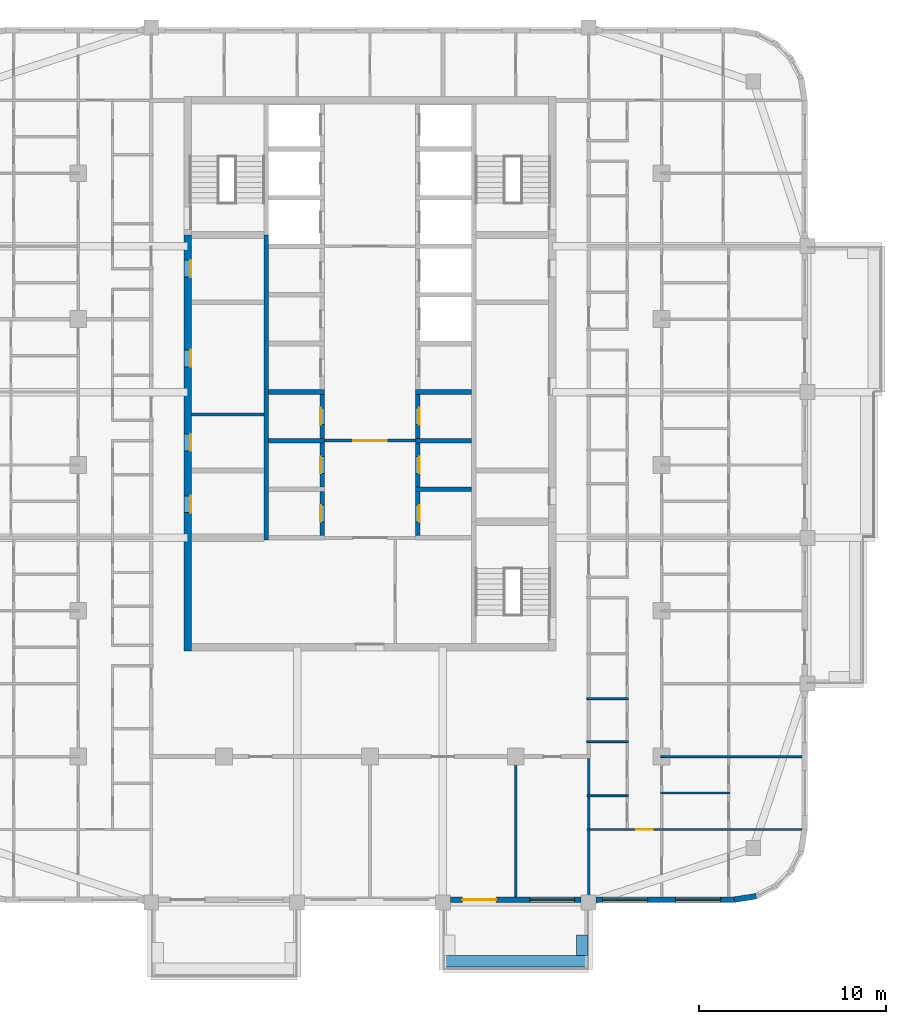
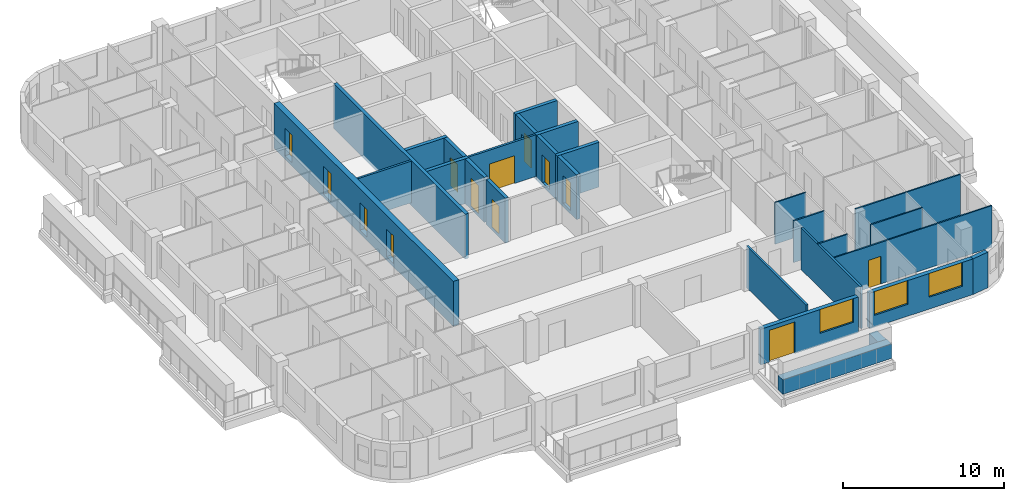
# One storey, part 5 of 16: 28 walls, 13 doors, 3 windows, 16 openings.
"""IFC4 building model written with IfcOpenShell, lengths in metres."""

from ifc_helpers import new_model, si_unit, direction, frame, frame_2d, origin, place, context, subcontext, project, spatial, rectangle, extrude, material, layer, layer_set, type_object, element, fill, save


model = new_model("IFC4")

# Units and contexts
model_context = context("Model", 3, precision=1e-05, world=origin(), true_north=direction((0.0, 1.0)))
body_context = subcontext(model_context, "Body", "Model", "MODEL_VIEW")
ifc_project = project(units=[si_unit("LENGTHUNIT", "METRE"), si_unit("AREAUNIT", "SQUARE_METRE"), si_unit("VOLUMEUNIT", "CUBIC_METRE"), si_unit("PLANEANGLEUNIT", "RADIAN"), si_unit("MASSUNIT", "GRAM", prefix="KILO")], contexts=[model_context])

# Site, building, storey
site_placement = place(None, origin())
site = spatial("IfcSite", under=ifc_project, at=site_placement, CompositionType="ELEMENT")
building_placement = place(site_placement, origin())
building = spatial("IfcBuilding", under=site, at=building_placement, Name="Ludao Terraces", CompositionType="ELEMENT")
storey_placement = place(building_placement, frame((0.0, 0.0, 227.89990234375)))
storey = spatial("IfcBuildingStorey", under=building, at=storey_placement, Name="L62", CompositionType="ELEMENT", Elevation=227.89990234375)

# Wall, openings, doors
ifc_material_1 = material(Name="Concrete C50", Category="concrete")
ifc_layer_1 = layer(ifc_material_1, 0.39990234375)
ifc_layer_set_1 = layer_set([ifc_layer_1], Name="Core wall 400 C50")
wall_type_1 = type_object("IfcWallType", Name="Core wall 400 C50", PredefinedType="SOLIDWALL", material=ifc_layer_set_1)
wall_1_placement = place(storey_placement, frame((75.25, 55.050048828125, -0.25), z_axis=(0.0, 0.0, 1.0), x_axis=(0.0, 1.0, 0.0)))
wall_1 = element("IfcWall", 1, at=wall_1_placement, inside=storey, type_object=wall_type_1, Name="Core wall L62 outer-W", PredefinedType="SOLIDWALL", context=body_context, shape_type="SweptSolid", body=[
    extrude(rectangle(XDim=22.25, YDim=0.39990234375, at=frame_2d((11.125, 0.0))), origin(), (0.0, 0.0, 1.0), 3.400146484375),
])
opening_1_placement = place(wall_1_placement, frame((7.39990234375, 0.0, 0.25)))
opening_1 = element("IfcOpeningElement", 2, at=opening_1_placement, cuts=wall_1, Name="Opening R22-054", PredefinedType="OPENING", context=body_context, shape_type="SweptSolid", body=[
    extrude(rectangle(XDim=0.89990234375, YDim=2.10009765625, at=frame_2d((0.449951171875, 1.050048828125))), frame((0.0, 0.2099609375, 0.0), z_axis=(0.0, -1.0, 0.0), x_axis=(1.0, 0.0, 0.0)), (0.0, 0.0, 1.0), 0.419921875),
])
opening_2_placement = place(wall_1_placement, frame((10.699951171875, 0.0, 0.25)))
opening_2 = element("IfcOpeningElement", 3, at=opening_2_placement, cuts=wall_1, Name="Opening R22-065", PredefinedType="OPENING", context=body_context, shape_type="SweptSolid", body=[
    extrude(rectangle(XDim=0.89990234375, YDim=2.10009765625, at=frame_2d((0.449951171875, 1.050048828125))), frame((0.0, 0.2099609375, 0.0), z_axis=(0.0, -1.0, 0.0), x_axis=(1.0, 0.0, 0.0)), (0.0, 0.0, 1.0), 0.419921875),
])
opening_3_placement = place(wall_1_placement, frame((15.199951171875, 0.0, 0.25)))
opening_3 = element("IfcOpeningElement", 4, at=opening_3_placement, cuts=wall_1, Name="Opening R22-081", PredefinedType="OPENING", context=body_context, shape_type="SweptSolid", body=[
    extrude(rectangle(XDim=0.89990234375, YDim=2.10009765625, at=frame_2d((0.449951171875, 1.050048828125))), frame((0.0, 0.2099609375, 0.0), z_axis=(0.0, -1.0, 0.0), x_axis=(1.0, 0.0, 0.0)), (0.0, 0.0, 1.0), 0.419921875),
])
opening_4_placement = place(wall_1_placement, frame((20.0, 0.0, 0.25)))
opening_4 = element("IfcOpeningElement", 5, at=opening_4_placement, cuts=wall_1, Name="Opening R22-097", PredefinedType="OPENING", context=body_context, shape_type="SweptSolid", body=[
    extrude(rectangle(XDim=0.89990234375, YDim=2.10009765625, at=frame_2d((0.449951171875, 1.050048828125))), frame((0.0, 0.2099609375, 0.0), z_axis=(0.0, -1.0, 0.0), x_axis=(1.0, 0.0, 0.0)), (0.0, 0.0, 1.0), 0.419921875),
])
ifc_material_2 = material(Name="Steel Q235", Category="steel")
door_type_1 = type_object("IfcDoorType", Name="INT Riser door 900", OperationType="SINGLE_SWING_LEFT", PredefinedType="DOOR", material=ifc_material_2)
door_1_placement = place(opening_1_placement, origin())
door_1 = element("IfcDoor", 6, at=door_1_placement, inside=storey, type_object=door_type_1, Name="DOOR 054", OperationType="SINGLE_SWING_RIGHT", OverallHeight=2.10009765625, OverallWidth=0.89990234375, PredefinedType="DOOR", context=body_context, shape_type="SweptSolid", body=[
    extrude(rectangle(XDim=0.89990234375, YDim=2.10009765625, at=frame_2d((0.449951171875, 1.050048828125))), frame((0.0, -0.134765625, 0.0), z_axis=(0.0, -1.0, 0.0), x_axis=(1.0, 0.0, 0.0)), (0.0, 0.0, 1.0), 0.050048828125),
])
fill(opening_1, door_1)
door_2_placement = place(opening_4_placement, origin())
door_2 = element("IfcDoor", 7, at=door_2_placement, inside=storey, type_object=door_type_1, Name="DOOR 097", OperationType="SINGLE_SWING_LEFT", OverallHeight=2.10009765625, OverallWidth=0.89990234375, PredefinedType="DOOR", context=body_context, shape_type="SweptSolid", body=[
    extrude(rectangle(XDim=0.89990234375, YDim=2.10009765625, at=frame_2d((0.449951171875, 1.050048828125))), frame((0.0, -0.134765625, 0.0), z_axis=(0.0, -1.0, 0.0), x_axis=(1.0, 0.0, 0.0)), (0.0, 0.0, 1.0), 0.050048828125),
])
fill(opening_4, door_2)
ifc_material_3 = material(Name="Timber door leaf", Category="wood")
door_type_2 = type_object("IfcDoorType", Name="INT Room door 900", OperationType="SINGLE_SWING_LEFT", PredefinedType="DOOR", material=ifc_material_3)
door_3_placement = place(opening_2_placement, origin())
door_3 = element("IfcDoor", 8, at=door_3_placement, inside=storey, type_object=door_type_2, Name="DOOR 065", OperationType="SINGLE_SWING_RIGHT", OverallHeight=2.10009765625, OverallWidth=0.89990234375, PredefinedType="DOOR", context=body_context, shape_type="SweptSolid", body=[
    extrude(rectangle(XDim=0.89990234375, YDim=2.10009765625, at=frame_2d((0.449951171875, 1.050048828125))), frame((0.0, -0.134765625, 0.0), z_axis=(0.0, -1.0, 0.0), x_axis=(1.0, 0.0, 0.0)), (0.0, 0.0, 1.0), 0.050048828125),
])
fill(opening_2, door_3)
door_4_placement = place(opening_3_placement, origin())
door_4 = element("IfcDoor", 9, at=door_4_placement, inside=storey, type_object=door_type_2, Name="DOOR 081", OperationType="SINGLE_SWING_RIGHT", OverallHeight=2.10009765625, OverallWidth=0.89990234375, PredefinedType="DOOR", context=body_context, shape_type="SweptSolid", body=[
    extrude(rectangle(XDim=0.89990234375, YDim=2.10009765625, at=frame_2d((0.449951171875, 1.050048828125))), frame((0.0, -0.134765625, 0.0), z_axis=(0.0, -1.0, 0.0), x_axis=(1.0, 0.0, 0.0)), (0.0, 0.0, 1.0), 0.050048828125),
])
fill(opening_3, door_4)

# Walls
ifc_material_4 = material(Name="Concrete C40", Category="concrete")
ifc_layer_2 = layer(ifc_material_4, 0.60009765625)
ifc_layer_set_2 = layer_set([ifc_layer_2], Name="ENV Planter trough 600")
wall_type_2 = type_object("IfcWallType", Name="ENV Planter trough 600", PredefinedType="USERDEFINED", material=ifc_layer_set_2)
wall_2_placement = place(storey_placement, frame((88.89990234375, 38.449951171875, 0.0), z_axis=(0.0, 0.0, 1.0), x_axis=(1.0, 0.0, 0.0)))
element("IfcWall", 10, at=wall_2_placement, inside=storey, type_object=wall_type_2, Name="PL-L62-S3", ObjectType="PLANTER", PredefinedType="USERDEFINED", context=body_context, shape_type="SweptSolid", body=[
    extrude(rectangle(XDim=7.800048828125, YDim=0.60009765625, at=frame_2d((3.89990234375, 0.0))), origin(), (0.0, 0.0, 1.0), 1.10009765625),
])
wall_3_placement = place(storey_placement, frame((96.35009765625, 38.75, 0.0), z_axis=(0.0, 0.0, 1.0), x_axis=(0.0, 1.0, 0.0)))
element("IfcWall", 11, at=wall_3_placement, inside=storey, type_object=wall_type_2, Name="PL-L62-S3-SB", ObjectType="PLANTER", PredefinedType="USERDEFINED", context=body_context, shape_type="SweptSolid", body=[
    extrude(rectangle(XDim=1.10009765625, YDim=0.60009765625, at=frame_2d((0.550048828125, 0.0))), origin(), (0.0, 0.0, 1.0), 1.10009765625),
])

# Wall, openings, door, window
ifc_material_5 = material(Name="Granite cladding", Category="masonry")
ifc_layer_3 = layer(ifc_material_5, 0.0400390625, Category="stone")
ifc_material_6 = material(Name="Mineral wool")
ifc_layer_4 = layer(ifc_material_6, 0.06005859375)
ifc_layer_5 = layer(ifc_material_4, 0.199951171875, Category="concrete")
ifc_layer_set_3 = layer_set([ifc_layer_3, ifc_layer_4, ifc_layer_5], Name="ENV Stone-clad wall 300")
wall_type_3 = type_object("IfcWallType", Name="ENV Stone-clad wall 300", PredefinedType="SOLIDWALL", material=ifc_layer_set_3)
wall_4_placement = place(storey_placement, frame((89.300048828125, 41.75, 0.0), z_axis=(0.0, 0.0, 1.0), x_axis=(1.0, 0.0, 0.0)))
wall_4 = element("IfcWall", 12, at=wall_4_placement, inside=storey, type_object=wall_type_3, Name="EW-L62-S4", PredefinedType="SOLIDWALL", context=body_context, shape_type="SweptSolid", body=[
    extrude(rectangle(XDim=7.0, YDim=0.300048828125, at=frame_2d((3.5, 0.0))), origin(), (0.0, 0.0, 1.0), 2.7001953125),
])
opening_5_placement = place(wall_4_placement, frame((0.64990234375, 0.0, 0.0)))
opening_5 = element("IfcOpeningElement", 13, at=opening_5_placement, cuts=wall_4, Name="Opening BD", PredefinedType="OPENING", context=body_context, shape_type="SweptSolid", body=[
    extrude(rectangle(XDim=1.800048828125, YDim=2.39990234375, at=frame_2d((0.89990234375, 1.199951171875))), frame((0.0, 0.16015625, 0.0), z_axis=(0.0, -1.0, 0.0), x_axis=(1.0, 0.0, 0.0)), (0.0, 0.0, 1.0), 0.320068359375),
])
opening_6_placement = place(wall_4_placement, frame((4.25, 0.0, 0.89990234375)))
opening_6 = element("IfcOpeningElement", 14, at=opening_6_placement, cuts=wall_4, Name="Opening W1", PredefinedType="OPENING", context=body_context, shape_type="SweptSolid", body=[
    extrude(rectangle(XDim=2.39990234375, YDim=1.800048828125, at=frame_2d((1.199951171875, 0.89990234375))), frame((0.0, 0.16015625, 0.0), z_axis=(0.0, -1.0, 0.0), x_axis=(1.0, 0.0, 0.0)), (0.0, 0.0, 1.0), 0.320068359375),
])
ifc_material_7 = material(Name="Aluminium glazed door", Category="aluminium")
ifc_layer_6 = layer(ifc_material_7, 0.06005859375)
ifc_layer_set_4 = layer_set([ifc_layer_6], Name="ENV Balcony door BD 1800x2400")
door_type_3 = type_object("IfcDoorType", Name="ENV Balcony door BD 1800x2400", OperationType="DOUBLE_DOOR_SINGLE_SWING", PredefinedType="DOOR", material=ifc_layer_set_4)
door_5_placement = place(opening_5_placement, origin())
door_5 = element("IfcDoor", 15, at=door_5_placement, inside=storey, type_object=door_type_3, Name="BD-L62-S4-1", OperationType="DOUBLE_DOOR_SINGLE_SWING", OverallHeight=2.39990234375, OverallWidth=1.800048828125, PredefinedType="DOOR", context=body_context, shape_type="SweptSolid", body=[
    extrude(rectangle(XDim=1.800048828125, YDim=2.39990234375, at=frame_2d((0.89990234375, 1.199951171875))), frame((0.0, 0.02490234375, 0.0), z_axis=(0.0, -1.0, 0.0), x_axis=(1.0, 0.0, 0.0)), (0.0, 0.0, 1.0), 0.050048828125),
])
fill(opening_5, door_5)
ifc_material_8 = material(Name="Clear glass in aluminium frame", Category="aluminium")
ifc_layer_7 = layer(ifc_material_8, 0.06005859375)
ifc_layer_set_5 = layer_set([ifc_layer_7], Name="ENV Window W1 2400x1800")
window_type = type_object("IfcWindowType", Name="ENV Window W1 2400x1800", PartitioningType="DOUBLE_PANEL_VERTICAL", PredefinedType="WINDOW", material=ifc_layer_set_5)
window_1_placement = place(opening_6_placement, origin())
window_1 = element("IfcWindow", 16, at=window_1_placement, inside=storey, type_object=window_type, Name="W-L62-S4-2", OverallHeight=1.800048828125, OverallWidth=2.39990234375, PartitioningType="DOUBLE_PANEL_VERTICAL", PredefinedType="WINDOW", context=body_context, shape_type="SweptSolid", body=[
    extrude(rectangle(XDim=2.39990234375, YDim=1.800048828125, at=frame_2d((1.199951171875, 0.89990234375))), frame((0.0, 0.030029296875, 0.0), z_axis=(0.0, -1.0, 0.0), x_axis=(1.0, 0.0, 0.0)), (0.0, 0.0, 1.0), 0.06005859375),
])
fill(opening_6, window_1)

# Wall, openings, windows
wall_5_placement = place(storey_placement, frame((97.10009765625, 41.75, 0.0), z_axis=(0.0, 0.0, 1.0), x_axis=(1.0, 0.0, 0.0)))
wall_5 = element("IfcWall", 17, at=wall_5_placement, inside=storey, type_object=wall_type_3, Name="EW-L62-S5", PredefinedType="SOLIDWALL", context=body_context, shape_type="SweptSolid", body=[
    extrude(rectangle(XDim=7.39990234375, YDim=0.300048828125, at=frame_2d((3.699951171875, 0.0))), origin(), (0.0, 0.0, 1.0), 2.7001953125),
])
opening_7_placement = place(wall_5_placement, frame((0.35009765625, 0.0, 0.89990234375)))
opening_7 = element("IfcOpeningElement", 18, at=opening_7_placement, cuts=wall_5, Name="Opening W1", PredefinedType="OPENING", context=body_context, shape_type="SweptSolid", body=[
    extrude(rectangle(XDim=2.39990234375, YDim=1.800048828125, at=frame_2d((1.199951171875, 0.89990234375))), frame((0.0, 0.16015625, 0.0), z_axis=(0.0, -1.0, 0.0), x_axis=(1.0, 0.0, 0.0)), (0.0, 0.0, 1.0), 0.320068359375),
])
opening_8_placement = place(wall_5_placement, frame((4.25, 0.0, 0.89990234375)))
opening_8 = element("IfcOpeningElement", 19, at=opening_8_placement, cuts=wall_5, Name="Opening W1", PredefinedType="OPENING", context=body_context, shape_type="SweptSolid", body=[
    extrude(rectangle(XDim=2.39990234375, YDim=1.800048828125, at=frame_2d((1.199951171875, 0.89990234375))), frame((0.0, 0.16015625, 0.0), z_axis=(0.0, -1.0, 0.0), x_axis=(1.0, 0.0, 0.0)), (0.0, 0.0, 1.0), 0.320068359375),
])
window_2_placement = place(opening_7_placement, origin())
window_2 = element("IfcWindow", 20, at=window_2_placement, inside=storey, type_object=window_type, Name="W-L62-S5-1", OverallHeight=1.800048828125, OverallWidth=2.39990234375, PartitioningType="DOUBLE_PANEL_VERTICAL", PredefinedType="WINDOW", context=body_context, shape_type="SweptSolid", body=[
    extrude(rectangle(XDim=2.39990234375, YDim=1.800048828125, at=frame_2d((1.199951171875, 0.89990234375))), frame((0.0, 0.030029296875, 0.0), z_axis=(0.0, -1.0, 0.0), x_axis=(1.0, 0.0, 0.0)), (0.0, 0.0, 1.0), 0.06005859375),
])
fill(opening_7, window_2)
window_3_placement = place(opening_8_placement, origin())
window_3 = element("IfcWindow", 21, at=window_3_placement, inside=storey, type_object=window_type, Name="W-L62-S5-2", OverallHeight=1.800048828125, OverallWidth=2.39990234375, PartitioningType="DOUBLE_PANEL_VERTICAL", PredefinedType="WINDOW", context=body_context, shape_type="SweptSolid", body=[
    extrude(rectangle(XDim=2.39990234375, YDim=1.800048828125, at=frame_2d((1.199951171875, 0.89990234375))), frame((0.0, 0.030029296875, 0.0), z_axis=(0.0, -1.0, 0.0), x_axis=(1.0, 0.0, 0.0)), (0.0, 0.0, 1.0), 0.06005859375),
])
fill(opening_8, window_3)

# Wall
wall_6_placement = place(storey_placement, frame((104.5, 41.75, 0.0), z_axis=(0.0, 0.0, 1.0), x_axis=(0.987678452879, 0.156496880861, 0.0)))
element("IfcWall", 22, at=wall_6_placement, inside=storey, type_object=wall_type_3, Name="EW-L62-SE1", PredefinedType="SOLIDWALL", context=body_context, shape_type="SweptSolid", body=[
    extrude(rectangle(XDim=1.173095703125, YDim=0.300048828125, at=frame_2d((0.58642578125, 0.0))), origin(), (0.0, 0.0, 1.0), 2.7001953125),
])

# Wall, opening, door
ifc_material_9 = material(Name="Fire-rated gypsum plasterboard", Category="gypsum")
ifc_layer_8 = layer(ifc_material_9, 0.012451171875, Category="gypsum")
ifc_layer_9 = layer(ifc_material_6, 0.10009765625, Name="insulation")
ifc_layer_10 = layer(ifc_material_2, 0.02490234375, Name="stud")
ifc_layer_11 = layer(ifc_material_9, 0.012451171875, Category="gypsum")
ifc_layer_set_6 = layer_set([ifc_layer_8, ifc_layer_9, ifc_layer_10, ifc_layer_11], Name="INT Core partition 150")
wall_type_4 = type_object("IfcWallType", Name="INT Core partition 150", PredefinedType="PARTITIONING", material=ifc_layer_set_6)
wall_7_placement = place(storey_placement, frame((82.5751953125, 66.300048828125, 0.0), z_axis=(0.0, 0.0, 1.0), x_axis=(1.0, 0.0, 0.0)))
wall_7 = element("IfcWall", 23, at=wall_7_placement, inside=storey, type_object=wall_type_4, Name="PW-L62-PW036", PredefinedType="PARTITIONING", context=body_context, shape_type="SweptSolid", body=[
    extrude(rectangle(XDim=4.849853515625, YDim=0.14990234375, at=frame_2d((2.4248046875, 0.0))), origin(), (0.0, 0.0, 1.0), 3.150146484375),
])
opening_9_placement = place(wall_7_placement, frame((1.52490234375, 0.0, 0.0)))
opening_9 = element("IfcOpeningElement", 24, at=opening_9_placement, cuts=wall_7, Name="Opening R22-066", PredefinedType="OPENING", context=body_context, shape_type="SweptSolid", body=[
    extrude(rectangle(XDim=1.800048828125, YDim=2.10009765625, at=frame_2d((0.89990234375, 1.050048828125))), frame((0.0, 0.0849609375, 0.0), z_axis=(0.0, -1.0, 0.0), x_axis=(1.0, 0.0, 0.0)), (0.0, 0.0, 1.0), 0.169921875),
])
door_type_4 = type_object("IfcDoorType", Name="INT Fire lobby door 1800", OperationType="DOUBLE_DOOR_SINGLE_SWING", PredefinedType="DOOR", material=ifc_material_2)
door_6_placement = place(opening_9_placement, origin())
door_6 = element("IfcDoor", 25, at=door_6_placement, inside=storey, type_object=door_type_4, Name="DOOR 066", OperationType="DOUBLE_DOOR_SINGLE_SWING", OverallHeight=2.10009765625, OverallWidth=1.800048828125, PredefinedType="DOOR", context=body_context, shape_type="SweptSolid", body=[
    extrude(rectangle(XDim=1.800048828125, YDim=2.10009765625, at=frame_2d((0.89990234375, 1.050048828125))), frame((0.0, 0.02490234375, 0.0), z_axis=(0.0, -1.0, 0.0), x_axis=(1.0, 0.0, 0.0)), (0.0, 0.0, 1.0), 0.050048828125),
])
fill(opening_9, door_6)

# Wall
wall_8_placement = place(storey_placement, frame((75.4501953125, 67.699951171875, 0.0), z_axis=(0.0, 0.0, 1.0), x_axis=(1.0, 0.0, 0.0)))
element("IfcWall", 26, at=wall_8_placement, inside=storey, type_object=wall_type_4, Name="PW-L62-PW039", PredefinedType="PARTITIONING", context=body_context, shape_type="SweptSolid", body=[
    extrude(rectangle(XDim=3.875, YDim=0.14990234375, at=frame_2d((1.9375, 0.0))), origin(), (0.0, 0.0, 1.0), 3.150146484375),
])

# Wall, opening, door
ifc_material_10 = material(Name="Gypsum plasterboard", Category="gypsum")
ifc_layer_12 = layer(ifc_material_10, 0.012451171875, Category="gypsum")
ifc_layer_13 = layer(ifc_material_6, 0.06005859375, Name="insulation")
ifc_layer_14 = layer(ifc_material_2, 0.014892578125, Name="stud")
ifc_layer_15 = layer(ifc_material_10, 0.012451171875, Category="gypsum")
ifc_layer_set_7 = layer_set([ifc_layer_12, ifc_layer_13, ifc_layer_14, ifc_layer_15], Name="INT Partition 100")
wall_type_5 = type_object("IfcWallType", Name="INT Partition 100", PredefinedType="PARTITIONING", material=ifc_layer_set_7)
wall_9_placement = place(storey_placement, frame((96.625, 45.5, 0.0), z_axis=(0.0, 0.0, 1.0), x_axis=(1.0, 0.0, 0.0)))
wall_9 = element("IfcWall", 27, at=wall_9_placement, inside=storey, type_object=wall_type_5, Name="PW-L62-PW001", PredefinedType="PARTITIONING", context=body_context, shape_type="SweptSolid", body=[
    extrude(rectangle(XDim=11.47509765625, YDim=0.10009765625, at=frame_2d((5.737548828125, 0.0))), origin(), (0.0, 0.0, 1.0), 3.150146484375),
])
opening_10_placement = place(wall_9_placement, frame((2.610107421875, 0.0, 0.0)))
opening_10 = element("IfcOpeningElement", 28, at=opening_10_placement, cuts=wall_9, Name="Opening R22-006", PredefinedType="OPENING", context=body_context, shape_type="SweptSolid", body=[
    extrude(rectangle(XDim=0.89990234375, YDim=2.10009765625, at=frame_2d((0.449951171875, 1.050048828125))), frame((0.0, 0.06005859375, 0.0), z_axis=(0.0, -1.0, 0.0), x_axis=(1.0, 0.0, 0.0)), (0.0, 0.0, 1.0), 0.1201171875),
])
door_7_placement = place(opening_10_placement, origin())
door_7 = element("IfcDoor", 29, at=door_7_placement, inside=storey, type_object=door_type_2, Name="DOOR 006", OperationType="SINGLE_SWING_LEFT", OverallHeight=2.10009765625, OverallWidth=0.89990234375, PredefinedType="DOOR", context=body_context, shape_type="SweptSolid", body=[
    extrude(rectangle(XDim=0.89990234375, YDim=2.10009765625, at=frame_2d((0.449951171875, 1.050048828125))), frame((0.0, 0.02490234375, 0.0), z_axis=(0.0, -1.0, 0.0), x_axis=(1.0, 0.0, 0.0)), (0.0, 0.0, 1.0), 0.050048828125),
])
fill(opening_10, door_7)

# Walls
wall_10_placement = place(storey_placement, frame((96.625, 47.300048828125, 0.0), z_axis=(0.0, 0.0, 1.0), x_axis=(1.0, 0.0, 0.0)))
element("IfcWall", 30, at=wall_10_placement, inside=storey, type_object=wall_type_5, Name="PW-L62-PW002", PredefinedType="PARTITIONING", context=body_context, shape_type="SweptSolid", body=[
    extrude(rectangle(XDim=2.195068359375, YDim=0.10009765625, at=frame_2d((1.09765625, 0.0))), origin(), (0.0, 0.0, 1.0), 3.150146484375),
])
wall_11_placement = place(storey_placement, frame((100.550048828125, 47.449951171875, 0.0), z_axis=(0.0, 0.0, 1.0), x_axis=(1.0, 0.0, 0.0)))
element("IfcWall", 31, at=wall_11_placement, inside=storey, type_object=wall_type_5, Name="PW-L62-PW003", PredefinedType="PARTITIONING", context=body_context, shape_type="SweptSolid", body=[
    extrude(rectangle(XDim=3.699951171875, YDim=0.10009765625, at=frame_2d((1.85009765625, 0.0))), origin(), (0.0, 0.0, 1.0), 3.150146484375),
])
wall_12_placement = place(storey_placement, frame((100.550048828125, 49.39990234375, 0.0), z_axis=(0.0, 0.0, 1.0), x_axis=(1.0, 0.0, 0.0)))
element("IfcWall", 32, at=wall_12_placement, inside=storey, type_object=wall_type_5, Name="PW-L62-PW007", PredefinedType="PARTITIONING", context=body_context, shape_type="SweptSolid", body=[
    extrude(rectangle(XDim=7.550048828125, YDim=0.10009765625, at=frame_2d((3.77490234375, 0.0))), origin(), (0.0, 0.0, 1.0), 3.150146484375),
])
for number, where, z_axis, x_axis, name in (
    (33, (96.60009765625, 50.199951171875, 0.0), (0.0, 0.0, 1.0), (1.0, 0.0, 0.0), "PW-L62-PW008"),
    (34, (96.60009765625, 52.5, 0.0), (0.0, 0.0, 1.0), (1.0, 0.0, 0.0), "PW-L62-PW010"),
):
    element("IfcWall", number, at=place(storey_placement, frame(where, z_axis=z_axis, x_axis=x_axis)), inside=storey, type_object=wall_type_5, Name=name, PredefinedType="PARTITIONING", context=body_context, shape_type="SweptSolid", body=[
        extrude(rectangle(XDim=2.219970703125, YDim=0.10009765625, at=frame_2d((1.10986328125, 0.0))), origin(), (0.0, 0.0, 1.0), 3.150146484375),
    ])
ifc_material_11 = material(Name="Autoclaved aerated concrete block B06 A3.5", Category="concrete")
ifc_layer_16 = layer(ifc_material_11, 0.14990234375)
ifc_layer_set_8 = layer_set([ifc_layer_16], Name="INT Party wall 150")
wall_type_6 = type_object("IfcWallType", Name="INT Party wall 150", PredefinedType="PARTITIONING", material=ifc_layer_set_8)
for number, where, z_axis, x_axis, name in (
    (35, (92.800048828125, 41.900146484375, 0.0), (0.0, 0.0, 1.0), (0.0, 1.0, 0.0), "PW-L62-PW086"),
    (36, (96.699951171875, 41.900146484375, 0.0), (0.0, 0.0, 1.0), (0.0, 1.0, 0.0), "PW-L62-PW088"),
):
    element("IfcWall", number, at=place(storey_placement, frame(where, z_axis=z_axis, x_axis=x_axis)), inside=storey, type_object=wall_type_6, Name=name, PredefinedType="PARTITIONING", context=body_context, shape_type="SweptSolid", body=[
        extrude(rectangle(XDim=7.39990234375, YDim=0.14990234375, at=frame_2d((3.699951171875, 0.0))), origin(), (0.0, 0.0, 1.0), 3.150146484375),
    ])
ifc_layer_17 = layer(ifc_material_1, 0.25)
ifc_layer_set_9 = layer_set([ifc_layer_17], Name="Shaft wall 250 C50")
wall_type_7 = type_object("IfcWallType", Name="Shaft wall 250 C50", PredefinedType="SOLIDWALL", material=ifc_layer_set_9)
wall_13_placement = place(storey_placement, frame((79.449951171875, 60.97509765625, -0.25), z_axis=(0.0, 0.0, 1.0), x_axis=(0.0, 1.0, 0.0)))
element("IfcWall", 37, at=wall_13_placement, inside=storey, type_object=wall_type_7, Name="Core wall L62 back-W", PredefinedType="SOLIDWALL", context=body_context, shape_type="SweptSolid", body=[
    extrude(rectangle(XDim=16.324951171875, YDim=0.25, at=frame_2d((8.16259765625, 0.0))), origin(), (0.0, 0.0, 1.0), 3.400146484375),
])

# Wall, opening, door
wall_14_placement = place(storey_placement, frame((82.449951171875, 61.22509765625, -0.25), z_axis=(0.0, 0.0, 1.0), x_axis=(0.0, 1.0, 0.0)))
wall_14 = element("IfcWall", 38, at=wall_14_placement, inside=storey, type_object=wall_type_7, Name="Core wall L62 front-W1", PredefinedType="SOLIDWALL", context=body_context, shape_type="SweptSolid", body=[
    extrude(rectangle(XDim=2.349853515625, YDim=0.25, at=frame_2d((1.1748046875, 0.0))), origin(), (0.0, 0.0, 1.0), 3.400146484375),
])
opening_11_placement = place(wall_14_placement, frame((0.72509765625, 0.0, 0.25)))
opening_11 = element("IfcOpeningElement", 39, at=opening_11_placement, cuts=wall_14, Name="Opening R22-050", PredefinedType="OPENING", context=body_context, shape_type="SweptSolid", body=[
    extrude(rectangle(XDim=0.89990234375, YDim=2.10009765625, at=frame_2d((0.449951171875, 1.050048828125))), frame((0.0, 0.135009765625, 0.0), z_axis=(0.0, -1.0, 0.0), x_axis=(1.0, 0.0, 0.0)), (0.0, 0.0, 1.0), 0.27001953125),
])
door_8_placement = place(opening_11_placement, origin())
door_8 = element("IfcDoor", 40, at=door_8_placement, inside=storey, type_object=door_type_2, Name="DOOR 050", OperationType="SINGLE_SWING_LEFT", OverallHeight=2.10009765625, OverallWidth=0.89990234375, PredefinedType="DOOR", context=body_context, shape_type="SweptSolid", body=[
    extrude(rectangle(XDim=0.89990234375, YDim=2.10009765625, at=frame_2d((0.449951171875, 1.050048828125))), frame((0.0, 0.10986328125, 0.0), z_axis=(0.0, -1.0, 0.0), x_axis=(1.0, 0.0, 0.0)), (0.0, 0.0, 1.0), 0.050048828125),
])
fill(opening_11, door_8)

wall_15_placement = place(storey_placement, frame((82.449951171875, 63.824951171875, -0.25), z_axis=(0.0, 0.0, 1.0), x_axis=(0.0, 1.0, 0.0)))
wall_15 = element("IfcWall", 41, at=wall_15_placement, inside=storey, type_object=wall_type_7, Name="Core wall L62 front-W2", PredefinedType="SOLIDWALL", context=body_context, shape_type="SweptSolid", body=[
    extrude(rectangle(XDim=2.35009765625, YDim=0.25, at=frame_2d((1.175048828125, 0.0))), origin(), (0.0, 0.0, 1.0), 3.400146484375),
])
opening_12_placement = place(wall_15_placement, frame((0.72509765625, 0.0, 0.25)))
opening_12 = element("IfcOpeningElement", 42, at=opening_12_placement, cuts=wall_15, Name="Opening R22-061", PredefinedType="OPENING", context=body_context, shape_type="SweptSolid", body=[
    extrude(rectangle(XDim=0.89990234375, YDim=2.10009765625, at=frame_2d((0.449951171875, 1.050048828125))), frame((0.0, 0.135009765625, 0.0), z_axis=(0.0, -1.0, 0.0), x_axis=(1.0, 0.0, 0.0)), (0.0, 0.0, 1.0), 0.27001953125),
])
door_9_placement = place(opening_12_placement, origin())
door_9 = element("IfcDoor", 43, at=door_9_placement, inside=storey, type_object=door_type_2, Name="DOOR 061", OperationType="SINGLE_SWING_LEFT", OverallHeight=2.10009765625, OverallWidth=0.89990234375, PredefinedType="DOOR", context=body_context, shape_type="SweptSolid", body=[
    extrude(rectangle(XDim=0.89990234375, YDim=2.10009765625, at=frame_2d((0.449951171875, 1.050048828125))), frame((0.0, 0.10986328125, 0.0), z_axis=(0.0, -1.0, 0.0), x_axis=(1.0, 0.0, 0.0)), (0.0, 0.0, 1.0), 0.050048828125),
])
fill(opening_12, door_9)

# Wall
wall_16_placement = place(storey_placement, frame((79.574951171875, 66.300048828125, -0.25), z_axis=(0.0, 0.0, 1.0), x_axis=(1.0, 0.0, 0.0)))
element("IfcWall", 44, at=wall_16_placement, inside=storey, type_object=wall_type_7, Name="Core wall L62 div-W3", PredefinedType="SOLIDWALL", context=body_context, shape_type="SweptSolid", body=[
    extrude(rectangle(XDim=3.0, YDim=0.25, at=frame_2d((1.5, 0.0))), origin(), (0.0, 0.0, 1.0), 3.400146484375),
])

# Wall, opening, door
wall_17_placement = place(storey_placement, frame((82.449951171875, 66.425048828125, -0.25), z_axis=(0.0, 0.0, 1.0), x_axis=(0.0, 1.0, 0.0)))
wall_17 = element("IfcWall", 45, at=wall_17_placement, inside=storey, type_object=wall_type_7, Name="Core wall L62 front-W3", PredefinedType="SOLIDWALL", context=body_context, shape_type="SweptSolid", body=[
    extrude(rectangle(XDim=2.349853515625, YDim=0.25, at=frame_2d((1.1748046875, 0.0))), origin(), (0.0, 0.0, 1.0), 3.400146484375),
])
opening_13_placement = place(wall_17_placement, frame((0.72509765625, 0.0, 0.25)))
opening_13 = element("IfcOpeningElement", 46, at=opening_13_placement, cuts=wall_17, Name="Opening R22-070", PredefinedType="OPENING", context=body_context, shape_type="SweptSolid", body=[
    extrude(rectangle(XDim=0.89990234375, YDim=2.10009765625, at=frame_2d((0.449951171875, 1.050048828125))), frame((0.0, 0.135009765625, 0.0), z_axis=(0.0, -1.0, 0.0), x_axis=(1.0, 0.0, 0.0)), (0.0, 0.0, 1.0), 0.27001953125),
])
door_10_placement = place(opening_13_placement, origin())
door_10 = element("IfcDoor", 47, at=door_10_placement, inside=storey, type_object=door_type_2, Name="DOOR 070", OperationType="SINGLE_SWING_LEFT", OverallHeight=2.10009765625, OverallWidth=0.89990234375, PredefinedType="DOOR", context=body_context, shape_type="SweptSolid", body=[
    extrude(rectangle(XDim=0.89990234375, YDim=2.10009765625, at=frame_2d((0.449951171875, 1.050048828125))), frame((0.0, 0.10986328125, 0.0), z_axis=(0.0, -1.0, 0.0), x_axis=(1.0, 0.0, 0.0)), (0.0, 0.0, 1.0), 0.050048828125),
])
fill(opening_13, door_10)

# Wall
wall_18_placement = place(storey_placement, frame((79.574951171875, 68.89990234375, -0.25), z_axis=(0.0, 0.0, 1.0), x_axis=(1.0, 0.0, 0.0)))
element("IfcWall", 48, at=wall_18_placement, inside=storey, type_object=wall_type_7, Name="Core wall L62 div-W4", PredefinedType="SOLIDWALL", context=body_context, shape_type="SweptSolid", body=[
    extrude(rectangle(XDim=3.0, YDim=0.25, at=frame_2d((1.5, 0.0))), origin(), (0.0, 0.0, 1.0), 3.400146484375),
])

# Wall, opening, door
wall_19_placement = place(storey_placement, frame((87.550048828125, 61.22509765625, -0.25), z_axis=(0.0, 0.0, 1.0), x_axis=(0.0, 1.0, 0.0)))
wall_19 = element("IfcWall", 49, at=wall_19_placement, inside=storey, type_object=wall_type_7, Name="Core wall L62 front-E1", PredefinedType="SOLIDWALL", context=body_context, shape_type="SweptSolid", body=[
    extrude(rectangle(XDim=2.349853515625, YDim=0.25, at=frame_2d((1.1748046875, 0.0))), origin(), (0.0, 0.0, 1.0), 3.400146484375),
])
opening_14_placement = place(wall_19_placement, frame((0.72509765625, 0.0, 0.25)))
opening_14 = element("IfcOpeningElement", 50, at=opening_14_placement, cuts=wall_19, Name="Opening R22-051", PredefinedType="OPENING", context=body_context, shape_type="SweptSolid", body=[
    extrude(rectangle(XDim=0.89990234375, YDim=2.10009765625, at=frame_2d((0.449951171875, 1.050048828125))), frame((0.0, 0.135009765625, 0.0), z_axis=(0.0, -1.0, 0.0), x_axis=(1.0, 0.0, 0.0)), (0.0, 0.0, 1.0), 0.27001953125),
])
door_11_placement = place(opening_14_placement, origin())
door_11 = element("IfcDoor", 51, at=door_11_placement, inside=storey, type_object=door_type_2, Name="DOOR 051", OperationType="SINGLE_SWING_RIGHT", OverallHeight=2.10009765625, OverallWidth=0.89990234375, PredefinedType="DOOR", context=body_context, shape_type="SweptSolid", body=[
    extrude(rectangle(XDim=0.89990234375, YDim=2.10009765625, at=frame_2d((0.449951171875, 1.050048828125))), frame((0.0, -0.06005859375, 0.0), z_axis=(0.0, -1.0, 0.0), x_axis=(1.0, 0.0, 0.0)), (0.0, 0.0, 1.0), 0.050048828125),
])
fill(opening_14, door_11)

# Wall
wall_20_placement = place(storey_placement, frame((87.425048828125, 63.699951171875, -0.25), z_axis=(0.0, 0.0, 1.0), x_axis=(1.0, 0.0, 0.0)))
element("IfcWall", 52, at=wall_20_placement, inside=storey, type_object=wall_type_7, Name="Core wall L62 div-E2", PredefinedType="SOLIDWALL", context=body_context, shape_type="SweptSolid", body=[
    extrude(rectangle(XDim=3.0, YDim=0.25, at=frame_2d((1.5, 0.0))), origin(), (0.0, 0.0, 1.0), 3.400146484375),
])

# Wall, opening, door
wall_21_placement = place(storey_placement, frame((87.550048828125, 63.824951171875, -0.25), z_axis=(0.0, 0.0, 1.0), x_axis=(0.0, 1.0, 0.0)))
wall_21 = element("IfcWall", 53, at=wall_21_placement, inside=storey, type_object=wall_type_7, Name="Core wall L62 front-E2", PredefinedType="SOLIDWALL", context=body_context, shape_type="SweptSolid", body=[
    extrude(rectangle(XDim=2.35009765625, YDim=0.25, at=frame_2d((1.175048828125, 0.0))), origin(), (0.0, 0.0, 1.0), 3.400146484375),
])
opening_15_placement = place(wall_21_placement, frame((0.72509765625, 0.0, 0.25)))
opening_15 = element("IfcOpeningElement", 54, at=opening_15_placement, cuts=wall_21, Name="Opening R22-062", PredefinedType="OPENING", context=body_context, shape_type="SweptSolid", body=[
    extrude(rectangle(XDim=0.89990234375, YDim=2.10009765625, at=frame_2d((0.449951171875, 1.050048828125))), frame((0.0, 0.135009765625, 0.0), z_axis=(0.0, -1.0, 0.0), x_axis=(1.0, 0.0, 0.0)), (0.0, 0.0, 1.0), 0.27001953125),
])
door_12_placement = place(opening_15_placement, origin())
door_12 = element("IfcDoor", 55, at=door_12_placement, inside=storey, type_object=door_type_2, Name="DOOR 062", OperationType="SINGLE_SWING_RIGHT", OverallHeight=2.10009765625, OverallWidth=0.89990234375, PredefinedType="DOOR", context=body_context, shape_type="SweptSolid", body=[
    extrude(rectangle(XDim=0.89990234375, YDim=2.10009765625, at=frame_2d((0.449951171875, 1.050048828125))), frame((0.0, -0.06005859375, 0.0), z_axis=(0.0, -1.0, 0.0), x_axis=(1.0, 0.0, 0.0)), (0.0, 0.0, 1.0), 0.050048828125),
])
fill(opening_15, door_12)

# Wall
wall_22_placement = place(storey_placement, frame((87.425048828125, 66.300048828125, -0.25), z_axis=(0.0, 0.0, 1.0), x_axis=(1.0, 0.0, 0.0)))
element("IfcWall", 56, at=wall_22_placement, inside=storey, type_object=wall_type_7, Name="Core wall L62 div-E3", PredefinedType="SOLIDWALL", context=body_context, shape_type="SweptSolid", body=[
    extrude(rectangle(XDim=3.0, YDim=0.25, at=frame_2d((1.5, 0.0))), origin(), (0.0, 0.0, 1.0), 3.400146484375),
])

# Wall, opening, door
wall_23_placement = place(storey_placement, frame((87.550048828125, 66.425048828125, -0.25), z_axis=(0.0, 0.0, 1.0), x_axis=(0.0, 1.0, 0.0)))
wall_23 = element("IfcWall", 57, at=wall_23_placement, inside=storey, type_object=wall_type_7, Name="Core wall L62 front-E3", PredefinedType="SOLIDWALL", context=body_context, shape_type="SweptSolid", body=[
    extrude(rectangle(XDim=2.349853515625, YDim=0.25, at=frame_2d((1.1748046875, 0.0))), origin(), (0.0, 0.0, 1.0), 3.400146484375),
])
opening_16_placement = place(wall_23_placement, frame((0.72509765625, 0.0, 0.25)))
opening_16 = element("IfcOpeningElement", 58, at=opening_16_placement, cuts=wall_23, Name="Opening R22-071", PredefinedType="OPENING", context=body_context, shape_type="SweptSolid", body=[
    extrude(rectangle(XDim=0.89990234375, YDim=2.10009765625, at=frame_2d((0.449951171875, 1.050048828125))), frame((0.0, 0.135009765625, 0.0), z_axis=(0.0, -1.0, 0.0), x_axis=(1.0, 0.0, 0.0)), (0.0, 0.0, 1.0), 0.27001953125),
])
door_13_placement = place(opening_16_placement, origin())
door_13 = element("IfcDoor", 59, at=door_13_placement, inside=storey, type_object=door_type_2, Name="DOOR 071", OperationType="SINGLE_SWING_RIGHT", OverallHeight=2.10009765625, OverallWidth=0.89990234375, PredefinedType="DOOR", context=body_context, shape_type="SweptSolid", body=[
    extrude(rectangle(XDim=0.89990234375, YDim=2.10009765625, at=frame_2d((0.449951171875, 1.050048828125))), frame((0.0, -0.06005859375, 0.0), z_axis=(0.0, -1.0, 0.0), x_axis=(1.0, 0.0, 0.0)), (0.0, 0.0, 1.0), 0.050048828125),
])
fill(opening_16, door_13)

# Wall
wall_24_placement = place(storey_placement, frame((87.425048828125, 68.89990234375, -0.25), z_axis=(0.0, 0.0, 1.0), x_axis=(1.0, 0.0, 0.0)))
element("IfcWall", 60, at=wall_24_placement, inside=storey, type_object=wall_type_7, Name="Core wall L62 div-E4", PredefinedType="SOLIDWALL", context=body_context, shape_type="SweptSolid", body=[
    extrude(rectangle(XDim=3.0, YDim=0.25, at=frame_2d((1.5, 0.0))), origin(), (0.0, 0.0, 1.0), 3.400146484375),
])

save(model, "model.ifc")
